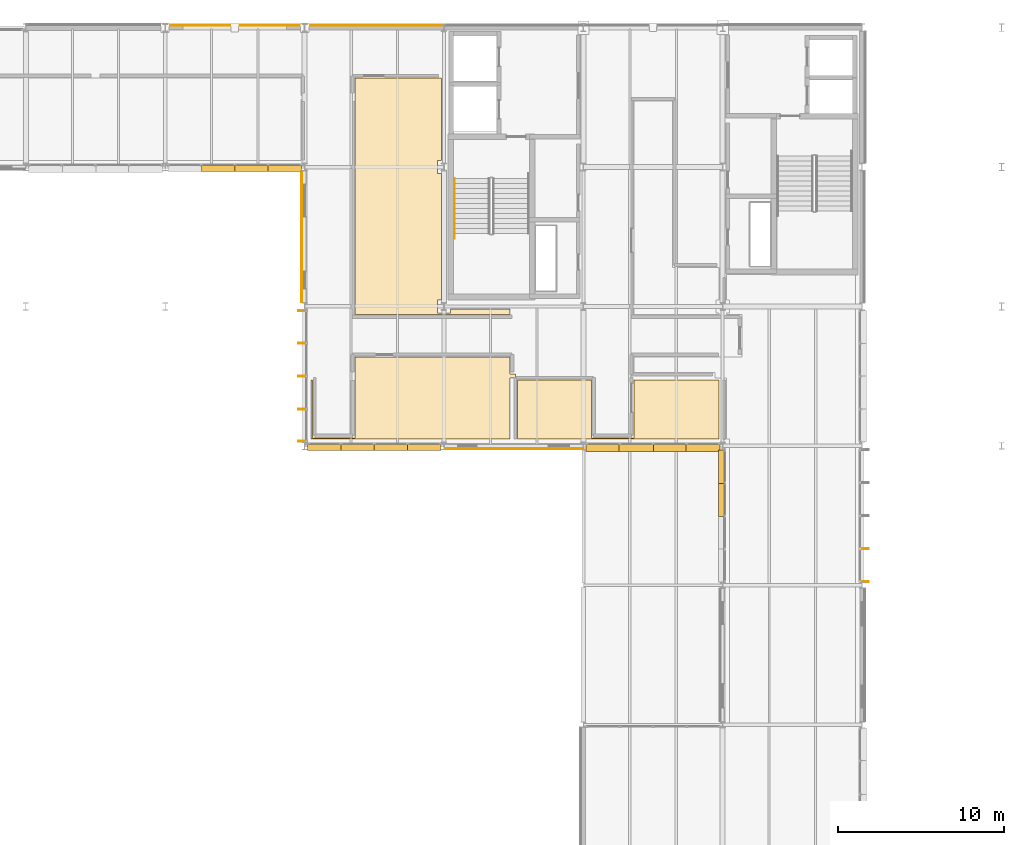
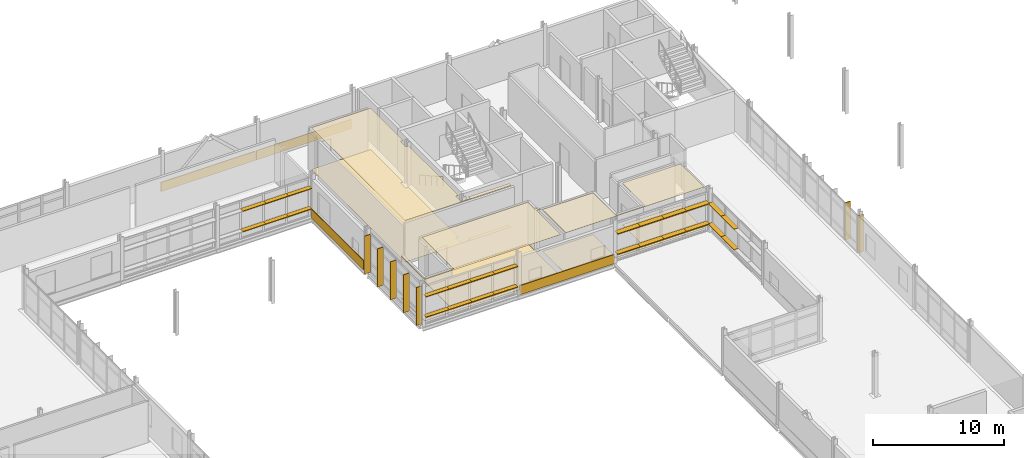
# One storey, part 101 of 103: 33 shading devices, 10 coverings, 1 railing.
"""IFC4 building model written with IfcOpenShell, lengths in metres."""

import ifcopenshell
import ifcopenshell.guid

model = None  # the IFC model being written
_history = None  # IfcOwnerHistory: only IFC2X3 demands one
_inside = {}  # id of a spatial element -> (the spatial element, [elements in it])
_under = {}  # id of a project, library or spatial element -> (it, [spatial elements below it])
_declared = {}  # id of a project -> (the project, [libraries it declares])
_typed = {}  # id of a type object -> (the type object, [elements of that type])
_made_of = {}  # id of a material, layer set ... -> (it, [elements and type objects made of it])


def new_model(schema):
    """Start an empty IFC model of exactly this schema.

    Asked for "IFC4X3", IfcOpenShell would pick the latest addendum, in which some entities
    have other attributes; the version numbers below select the first issue.
    IFC2X3 requires an IfcOwnerHistory on every rooted entity: one is made here for all.
    """
    global model, _history
    if schema == "IFC4X3":
        model = ifcopenshell.file(schema_version=(4, 3, 0, 0))
    else:
        model = ifcopenshell.file(schema=schema)
    _inside.clear()
    _under.clear()
    _declared.clear()
    _typed.clear()
    _made_of.clear()
    _history = None
    if model.schema == "IFC2X3":
        org = make("IfcOrganization", Name="unknown")
        user = make(
            "IfcPersonAndOrganization",
            ThePerson=make("IfcPerson", FamilyName="unknown"),
            TheOrganization=org,
        )
        app = make(
            "IfcApplication",
            ApplicationDeveloper=org,
            Version="unknown",
            ApplicationFullName="unknown",
            ApplicationIdentifier="unknown",
        )
        _history = make(
            "IfcOwnerHistory",
            OwningUser=user,
            OwningApplication=app,
            ChangeAction="ADDED",
            CreationDate=0,
        )
    return model


def make(cls, **values):
    """One entity of the class cls with the attributes given. An attribute that is None is left unset."""
    return model.create_entity(
        cls, **{name: value for name, value in values.items() if value is not None}
    )


def rooted(cls, **values):
    """An entity with a GlobalId (a new one), such as an element, a storey or a relation."""
    return make(cls, GlobalId=ifcopenshell.guid.new(), OwnerHistory=_history, **values)


def si_unit(unit_type, name, prefix=None):
    """IfcSIUnit, for example si_unit("LENGTHUNIT", "METRE", prefix="MILLI")."""
    return make("IfcSIUnit", UnitType=unit_type, Prefix=prefix, Name=name)


def assignment(units):
    """IfcUnitAssignment: the units of a project."""
    return None if units is None else make("IfcUnitAssignment", Units=units)


def point(xyz):
    """IfcCartesianPoint."""
    return None if xyz is None else make("IfcCartesianPoint", Coordinates=xyz)


def direction(xyz):
    """IfcDirection."""
    return None if xyz is None else make("IfcDirection", DirectionRatios=xyz)


def frame(location, z_axis=None, x_axis=None):
    """IfcAxis2Placement3D, a coordinate frame: its origin and axes. An axis left out is left unset."""
    return make(
        "IfcAxis2Placement3D",
        Location=point(location),
        Axis=direction(z_axis),
        RefDirection=direction(x_axis),
    )


def frame_2d(location, x_axis=None):
    """IfcAxis2Placement2D, a coordinate frame in the plane: its origin and x axis."""
    return make(
        "IfcAxis2Placement2D", Location=point(location), RefDirection=direction(x_axis)
    )


def origin():
    """The frame at (0, 0, 0) with its axes left unset."""
    return frame((0.0, 0.0, 0.0))


def origin_2d():
    """The frame at (0, 0) in the plane with its x axis left unset."""
    return frame_2d((0.0, 0.0))


def place(relative_to, where):
    """IfcLocalPlacement: puts the frame where relative to a parent placement (None: the world)."""
    return make(
        "IfcLocalPlacement", PlacementRelTo=relative_to, RelativePlacement=where
    )


def context(
    kind, dimensions, precision=None, world=None, true_north=None, identifier=None
):
    """IfcGeometricRepresentationContext, for example the 3D "Model" context."""
    return make(
        "IfcGeometricRepresentationContext",
        ContextIdentifier=identifier,
        ContextType=kind,
        CoordinateSpaceDimension=dimensions,
        Precision=precision,
        WorldCoordinateSystem=world,
        TrueNorth=true_north,
    )


def subcontext(parent, identifier, kind, view, scale=None):
    """IfcGeometricRepresentationSubContext, for example "Body" below "Model"."""
    return make(
        "IfcGeometricRepresentationSubContext",
        ContextIdentifier=identifier,
        ContextType=kind,
        ParentContext=parent,
        TargetScale=scale,
        TargetView=view,
    )


def project(units=None, contexts=None):
    """IfcProject with its units and contexts."""
    return rooted(
        "IfcProject",
        Name="project",
        RepresentationContexts=contexts,
        UnitsInContext=assignment(units),
    )


def spatial(cls, under=None, at=None, **own):
    """A site, building, storey or space (cls), placed at a placement, below another one or the project."""
    s = rooted(cls, ObjectPlacement=at, **own)
    if under is not None:
        _under.setdefault(under.id(), (under, []))[1].append(s)
    return s


def polyline(points):
    """IfcPolyline through the points."""
    return make("IfcPolyline", Points=[point(p) for p in points])


def profile(cls, at=None, kind="AREA", **sizes):
    """A parametric profile (cls). Its sizes go by their IFC names, for example OverallWidth=200.0."""
    return make(cls, ProfileType=kind, Position=at, **sizes)


def rectangle(**sizes):
    """IfcRectangleProfileDef."""
    return profile("IfcRectangleProfileDef", **sizes)


def circle(**sizes):
    """IfcCircleProfileDef."""
    return profile("IfcCircleProfileDef", **sizes)


def outline(outer, holes=None, kind="AREA"):
    """IfcArbitraryClosedProfileDef: a profile drawn as a closed curve; with holes, ...WithVoids."""
    if holes is None:
        return make("IfcArbitraryClosedProfileDef", ProfileType=kind, OuterCurve=outer)
    return make(
        "IfcArbitraryProfileDefWithVoids",
        ProfileType=kind,
        OuterCurve=outer,
        InnerCurves=holes,
    )


def extrude(swept, where, along, depth):
    """IfcExtrudedAreaSolid: the profile swept, set in the frame where, extruded along a direction by depth."""
    return make(
        "IfcExtrudedAreaSolid",
        SweptArea=swept,
        Position=where,
        ExtrudedDirection=direction(along),
        Depth=depth,
    )


def shape(context_of_items, identifier, shape_type, items):
    """IfcShapeRepresentation: the items that make up one representation, for example the "Body"."""
    return make(
        "IfcShapeRepresentation",
        ContextOfItems=context_of_items,
        RepresentationIdentifier=identifier,
        RepresentationType=shape_type,
        Items=items,
    )


def material(Name=None, Category=None):
    """IfcMaterial."""
    return make("IfcMaterial", Name=Name, Category=Category)


def layer(
    of_material, thickness, ventilated=None, Name=None, Category=None, Priority=None
):
    """IfcMaterialLayer: one layer of a wall or slab, of a material (None: an air gap)."""
    return make(
        "IfcMaterialLayer",
        Material=of_material,
        LayerThickness=thickness,
        IsVentilated=ventilated,
        Name=Name,
        Category=Category,
        Priority=Priority,
    )


def layer_set(layers, Name=None):
    """IfcMaterialLayerSet."""
    return make("IfcMaterialLayerSet", MaterialLayers=layers, LayerSetName=Name)


def made_of(thing, what):
    """Note that an element or type object is made of a material, layer set ...; save() writes the relation."""
    if what is not None:
        _made_of.setdefault(what.id(), (what, []))[1].append(thing)
    return thing


def type_object(cls, material=None, **own):
    """A type object (cls), such as IfcWallType, which elements share."""
    return made_of(rooted(cls, **own), material)


def element(
    cls,
    number,
    at=None,
    inside=None,
    cuts=None,
    type_object=None,
    material=None,
    context=None,
    identifier="Body",
    shape_type=None,
    held_by="IfcProductDefinitionShape",
    body=None,
    shapes=None,
    **own,
):
    """One element of the class cls, such as IfcWall. Its Tag is "e" and its number.

    at: its placement. inside: the storey or other place that contains it. cuts: it is an
    opening in that element (IfcRelVoidsElement). A single representation is given by context,
    identifier, shape_type and body (its items); several are given by shapes. held_by: the class
    of the entity that holds the representations. save() writes the other relations.
    """
    e = rooted(cls, Tag="e%d" % number, ObjectPlacement=at, **own)
    if body is not None:
        shapes = [shape(context, identifier, shape_type, body)]
    if shapes is not None:
        e.Representation = make(held_by, Representations=shapes)
    if inside is not None:
        _inside.setdefault(inside.id(), (inside, []))[1].append(e)
    if cuts is not None:
        rooted(
            "IfcRelVoidsElement", RelatingBuildingElement=cuts, RelatedOpeningElement=e
        )
    if type_object is not None:
        _typed.setdefault(type_object.id(), (type_object, []))[1].append(e)
    return made_of(e, material)


def aggregate(whole, parts):
    """IfcRelAggregates: a whole, such as a stair, and the parts it consists of."""
    return rooted("IfcRelAggregates", RelatingObject=whole, RelatedObjects=parts)


def save(model, path):
    """Write the relations noted so far, then the file.

    IfcRelAggregates (storeys below a building ...), IfcRelContainedInSpatialStructure (elements
    in a storey), IfcRelDefinesByType, IfcRelAssociatesMaterial and IfcRelDeclares: one each for
    every whole, place, type object, material and project.
    """
    for whole, parts in _under.values():
        aggregate(whole, parts)
    for where, things in _inside.values():
        rooted(
            "IfcRelContainedInSpatialStructure",
            RelatedElements=things,
            RelatingStructure=where,
        )
    for kind, things in _typed.values():
        rooted("IfcRelDefinesByType", RelatedObjects=things, RelatingType=kind)
    for what, things in _made_of.values():
        rooted("IfcRelAssociatesMaterial", RelatedObjects=things, RelatingMaterial=what)
    for by, libraries in _declared.values():
        rooted("IfcRelDeclares", RelatingContext=by, RelatedDefinitions=libraries)
    model.write(path)


model = new_model("IFC4")

# Units and contexts
model_context = context("Model", 3, precision=1e-05, world=origin(), true_north=direction((0.0, 1.0)))
body_context = subcontext(model_context, "Body", "Model", "MODEL_VIEW")
ifc_project = project(units=[si_unit("LENGTHUNIT", "METRE"), si_unit("AREAUNIT", "SQUARE_METRE"), si_unit("VOLUMEUNIT", "CUBIC_METRE"), si_unit("PLANEANGLEUNIT", "RADIAN"), si_unit("MASSUNIT", "GRAM", prefix="KILO")], contexts=[model_context])

# Site, building, storey
site_placement = place(None, origin())
site = spatial("IfcSite", under=ifc_project, at=site_placement, CompositionType="ELEMENT")
building_placement = place(site_placement, origin())
building = spatial("IfcBuilding", under=site, at=building_placement, Name="Mersafa Astral City Hall", CompositionType="ELEMENT")
storey_placement = place(building_placement, frame((0.0, 0.0, 18.0)))
storey = spatial("IfcBuildingStorey", under=building, at=storey_placement, Name="L04", CompositionType="ELEMENT", Elevation=18.0)

# Coverings
ifc_material_1 = material(Name="Cairo Mokattam buff limestone cladding", Category="masonry")
ifc_layer_1 = layer(ifc_material_1, 0.06005859375, Name="Cairo Mokattam buff limestone cladding")
ifc_layer_set_1 = layer_set([ifc_layer_1], Name="Cairo Mokattam buff limestone cladding — ENV-COV-LIMESTONE-60")
covering_type_1 = type_object("IfcCoveringType", Name="ENV-COV-LIMESTONE-60", PredefinedType="CLADDING", material=ifc_layer_set_1)
for number, where, z_axis, x_axis, name in (
    (1, (147.0, 126.14697265625, 0.0), (0.0, 0.0, 1.0), (-1.0, 0.0, 0.0), "L04 Cairo buff limestone rainscreen cladding 283"),
    (2, (138.60009765625, 126.139404296875, 0.0), (0.0, 0.0, 1.0), (-1.0, 0.0, 0.0), "L04 Cairo buff limestone rainscreen cladding 284"),
):
    element("IfcCovering", number, at=place(storey_placement, frame(where, z_axis=z_axis, x_axis=x_axis)), inside=storey, type_object=covering_type_1, Name=name, PredefinedType="CLADDING", context=body_context, shape_type="SweptSolid", body=[
        extrude(rectangle(XDim=8.323974609375, YDim=0.06005859375, at=origin_2d()), origin(), (0.0, 0.0, 1.0), 0.860107421875),
    ])
covering_1_placement = place(storey_placement, frame((142.623046875, 113.39990234375, 0.0), z_axis=(0.0, 0.0, 1.0), x_axis=(0.0, -1.0, 0.0)))
element("IfcCovering", 3, at=covering_1_placement, inside=storey, type_object=covering_type_1, Name="L04 Cairo buff limestone rainscreen cladding 314", PredefinedType="CLADDING", context=body_context, shape_type="SweptSolid", body=[
    extrude(rectangle(XDim=7.89794921875, YDim=0.06005859375, at=origin_2d()), origin(), (0.0, 0.0, 1.0), 0.860107421875),
])
covering_2_placement = place(storey_placement, frame((155.39990234375, 100.630615234375, 0.0), z_axis=(0.0, 0.0, 1.0), x_axis=(1.0, 0.0, 0.0)))
element("IfcCovering", 4, at=covering_2_placement, inside=storey, type_object=covering_type_1, Name="L04 Cairo buff limestone rainscreen cladding 315", PredefinedType="CLADDING", context=body_context, shape_type="SweptSolid", body=[
    extrude(rectangle(XDim=8.323974609375, YDim=0.06005859375, at=origin_2d()), origin(), (0.0, 0.0, 1.0), 0.860107421875),
])

# Shading devices
ifc_material_2 = material(Name="Anodised bronze aluminium solar fin", Category="aluminium")
shading_device_type_1 = type_object("IfcShadingDeviceType", Name="ENV-SHD-FIN-500A", PredefinedType="USERDEFINED", material=ifc_material_2)
for number, where, z_axis, x_axis, name in (
    (5, (176.544921875, 92.6220703125, -0.014892578125), (0.0, 0.0, 1.0), (0.0, 1.0, 0.0), "L04 Vertical bronze solar fin 1223"),
    (6, (176.544921875, 94.591064453125, -0.014892578125), (0.0, 0.0, 1.0), (0.0, 1.0, 0.0), "L04 Vertical bronze solar fin 1224"),
):
    element("IfcShadingDevice", number, at=place(storey_placement, frame(where, z_axis=z_axis, x_axis=x_axis)), inside=storey, type_object=shading_device_type_1, Name=name, ObjectType="FIN", PredefinedType="USERDEFINED", context=body_context, shape_type="SweptSolid", body=[
        extrude(rectangle(XDim=0.06005859375, YDim=0.5, at=origin_2d()), origin(), (0.0, 0.0, 1.0), 3.44189453125),
    ])
for number, where, z_axis, x_axis, name in (
    (7, (142.655029296875, 108.93310546875, -0.01513671875), (0.0, 0.0, 1.0), (0.0, -1.0, 0.0), "L04 Vertical bronze solar fin 1405"),
    (8, (142.655029296875, 106.9814453125, -0.01513671875), (0.0, 0.0, 1.0), (0.0, -1.0, 0.0), "L04 Vertical bronze solar fin 1406"),
    (9, (142.655029296875, 105.0, -0.01513671875), (0.0, 0.0, 1.0), (0.0, -1.0, 0.0), "L04 Vertical bronze solar fin 1407"),
    (10, (142.655029296875, 103.0185546875, -0.01513671875), (0.0, 0.0, 1.0), (0.0, -1.0, 0.0), "L04 Vertical bronze solar fin 1408"),
    (11, (142.655029296875, 101.06689453125, -0.01513671875), (0.0, 0.0, 1.0), (0.0, -1.0, 0.0), "L04 Vertical bronze solar fin 1409"),
):
    element("IfcShadingDevice", number, at=place(storey_placement, frame(where, z_axis=z_axis, x_axis=x_axis)), inside=storey, type_object=shading_device_type_1, Name=name, ObjectType="FIN", PredefinedType="USERDEFINED", context=body_context, shape_type="SweptSolid", body=[
        extrude(rectangle(XDim=0.06005859375, YDim=0.5, at=origin_2d()), origin(), (0.0, 0.0, 1.0), 3.531982421875),
    ])
ifc_material_3 = material(Name="Kiln-dried cedar timber brise-soleil blade", Category="wood")
shading_device_type_2 = type_object("IfcShadingDeviceType", Name="ENV-SHD-LOUVRE-380", PredefinedType="JALOUSIE", material=ifc_material_3)
for number, where, z_axis, x_axis, name in (
    (12, (137.590576171875, 117.52001953125, 0.81494140625), (0.0, 0.0, 1.0), (1.0, 0.0, 0.0), "L04 Horizontal cedar brise-soleil louvre 1398"),
    (13, (139.609619140625, 117.52001953125, 0.81494140625), (0.0, 0.0, 1.0), (1.0, 0.0, 0.0), "L04 Horizontal cedar brise-soleil louvre 1399"),
):
    element("IfcShadingDevice", number, at=place(storey_placement, frame(where, z_axis=z_axis, x_axis=x_axis)), inside=storey, type_object=shading_device_type_2, Name=name, PredefinedType="JALOUSIE", context=body_context, shape_type="SweptSolid", body=[
        extrude(rectangle(XDim=2.05908203125, YDim=0.3798828125, at=origin_2d()), origin(), (0.0, 0.0, 1.0), 0.070068359375),
    ])
shading_device_1_placement = place(storey_placement, frame((141.613525390625, 117.52001953125, 0.81494140625), z_axis=(0.0, 0.0, 1.0), x_axis=(1.0, 0.0, 0.0)))
element("IfcShadingDevice", 14, at=shading_device_1_placement, inside=storey, type_object=shading_device_type_2, Name="L04 Horizontal cedar brise-soleil louvre 1400", PredefinedType="JALOUSIE", context=body_context, shape_type="SweptSolid", body=[
    extrude(rectangle(XDim=2.029052734375, YDim=0.3798828125, at=origin_2d()), origin(), (0.0, 0.0, 1.0), 0.070068359375),
])
for number, where, z_axis, x_axis, name in (
    (15, (137.590576171875, 117.52001953125, 2.71484375), (0.0, 0.0, 1.0), (1.0, 0.0, 0.0), "L04 Horizontal cedar brise-soleil louvre 1402"),
    (16, (139.609619140625, 117.52001953125, 2.71484375), (0.0, 0.0, 1.0), (1.0, 0.0, 0.0), "L04 Horizontal cedar brise-soleil louvre 1403"),
):
    element("IfcShadingDevice", number, at=place(storey_placement, frame(where, z_axis=z_axis, x_axis=x_axis)), inside=storey, type_object=shading_device_type_2, Name=name, PredefinedType="JALOUSIE", context=body_context, shape_type="SweptSolid", body=[
        extrude(rectangle(XDim=2.05908203125, YDim=0.3798828125, at=origin_2d()), origin(), (0.0, 0.0, 1.0), 0.070068359375),
    ])
for number, where, z_axis, x_axis, name in (
    (17, (141.613525390625, 117.52001953125, 2.71484375), (0.0, 0.0, 1.0), (1.0, 0.0, 0.0), "L04 Horizontal cedar brise-soleil louvre 1404"),
    (18, (143.986572265625, 100.719970703125, 0.81494140625), (0.0, 0.0, 1.0), (1.0, 0.0, 0.0), "L04 Horizontal cedar brise-soleil louvre 1410"),
):
    element("IfcShadingDevice", number, at=place(storey_placement, frame(where, z_axis=z_axis, x_axis=x_axis)), inside=storey, type_object=shading_device_type_2, Name=name, PredefinedType="JALOUSIE", context=body_context, shape_type="SweptSolid", body=[
        extrude(rectangle(XDim=2.029052734375, YDim=0.3798828125, at=origin_2d()), origin(), (0.0, 0.0, 1.0), 0.070068359375),
    ])
for number, where, z_axis, x_axis, name in (
    (19, (145.990478515625, 100.719970703125, 0.81494140625), (0.0, 0.0, 1.0), (1.0, 0.0, 0.0), "L04 Horizontal cedar brise-soleil louvre 1411"),
    (20, (148.009521484375, 100.719970703125, 0.81494140625), (0.0, 0.0, 1.0), (1.0, 0.0, 0.0), "L04 Horizontal cedar brise-soleil louvre 1412"),
):
    element("IfcShadingDevice", number, at=place(storey_placement, frame(where, z_axis=z_axis, x_axis=x_axis)), inside=storey, type_object=shading_device_type_2, Name=name, PredefinedType="JALOUSIE", context=body_context, shape_type="SweptSolid", body=[
        extrude(rectangle(XDim=2.05908203125, YDim=0.3798828125, at=origin_2d()), origin(), (0.0, 0.0, 1.0), 0.070068359375),
    ])
for number, where, z_axis, x_axis, name in (
    (21, (150.013427734375, 100.719970703125, 0.81494140625), (0.0, 0.0, 1.0), (1.0, 0.0, 0.0), "L04 Horizontal cedar brise-soleil louvre 1413"),
    (22, (143.986572265625, 100.719970703125, 2.71484375), (0.0, 0.0, 1.0), (1.0, 0.0, 0.0), "L04 Horizontal cedar brise-soleil louvre 1414"),
):
    element("IfcShadingDevice", number, at=place(storey_placement, frame(where, z_axis=z_axis, x_axis=x_axis)), inside=storey, type_object=shading_device_type_2, Name=name, PredefinedType="JALOUSIE", context=body_context, shape_type="SweptSolid", body=[
        extrude(rectangle(XDim=2.029052734375, YDim=0.3798828125, at=origin_2d()), origin(), (0.0, 0.0, 1.0), 0.070068359375),
    ])
for number, where, z_axis, x_axis, name in (
    (23, (145.990478515625, 100.719970703125, 2.71484375), (0.0, 0.0, 1.0), (1.0, 0.0, 0.0), "L04 Horizontal cedar brise-soleil louvre 1415"),
    (24, (148.009521484375, 100.719970703125, 2.71484375), (0.0, 0.0, 1.0), (1.0, 0.0, 0.0), "L04 Horizontal cedar brise-soleil louvre 1416"),
):
    element("IfcShadingDevice", number, at=place(storey_placement, frame(where, z_axis=z_axis, x_axis=x_axis)), inside=storey, type_object=shading_device_type_2, Name=name, PredefinedType="JALOUSIE", context=body_context, shape_type="SweptSolid", body=[
        extrude(rectangle(XDim=2.05908203125, YDim=0.3798828125, at=origin_2d()), origin(), (0.0, 0.0, 1.0), 0.070068359375),
    ])
shading_device_2_placement = place(storey_placement, frame((150.013427734375, 100.719970703125, 2.71484375), z_axis=(0.0, 0.0, 1.0), x_axis=(1.0, 0.0, 0.0)))
element("IfcShadingDevice", 25, at=shading_device_2_placement, inside=storey, type_object=shading_device_type_2, Name="L04 Horizontal cedar brise-soleil louvre 1417", PredefinedType="JALOUSIE", context=body_context, shape_type="SweptSolid", body=[
    extrude(rectangle(XDim=2.029052734375, YDim=0.3798828125, at=origin_2d()), origin(), (0.0, 0.0, 1.0), 0.070068359375),
])
shading_device_3_placement = place(storey_placement, frame((167.919921875, 99.55029296875, 0.81494140625), z_axis=(0.0, 0.0, 1.0), x_axis=(0.0, -1.0, 0.0)))
element("IfcShadingDevice", 26, at=shading_device_3_placement, inside=storey, type_object=shading_device_type_2, Name="L04 Horizontal cedar brise-soleil louvre 1426", PredefinedType="JALOUSIE", context=body_context, shape_type="SweptSolid", body=[
    extrude(rectangle(XDim=2.00537109375, YDim=0.3798828125, at=origin_2d()), origin(), (0.0, 0.0, 1.0), 0.070068359375),
])
shading_device_4_placement = place(storey_placement, frame((167.919921875, 97.570068359375, 0.81494140625), z_axis=(0.0, 0.0, 1.0), x_axis=(0.0, -1.0, 0.0)))
element("IfcShadingDevice", 27, at=shading_device_4_placement, inside=storey, type_object=shading_device_type_2, Name="L04 Horizontal cedar brise-soleil louvre 1427", PredefinedType="JALOUSIE", context=body_context, shape_type="SweptSolid", body=[
    extrude(rectangle(XDim=2.035400390625, YDim=0.3798828125, at=origin_2d()), origin(), (0.0, 0.0, 1.0), 0.070068359375),
])
shading_device_5_placement = place(storey_placement, frame((167.919921875, 99.55029296875, 2.71484375), z_axis=(0.0, 0.0, 1.0), x_axis=(0.0, -1.0, 0.0)))
element("IfcShadingDevice", 28, at=shading_device_5_placement, inside=storey, type_object=shading_device_type_2, Name="L04 Horizontal cedar brise-soleil louvre 1430", PredefinedType="JALOUSIE", context=body_context, shape_type="SweptSolid", body=[
    extrude(rectangle(XDim=2.00537109375, YDim=0.3798828125, at=origin_2d()), origin(), (0.0, 0.0, 1.0), 0.070068359375),
])
shading_device_6_placement = place(storey_placement, frame((167.919921875, 97.570068359375, 2.71484375), z_axis=(0.0, 0.0, 1.0), x_axis=(0.0, -1.0, 0.0)))
element("IfcShadingDevice", 29, at=shading_device_6_placement, inside=storey, type_object=shading_device_type_2, Name="L04 Horizontal cedar brise-soleil louvre 1431", PredefinedType="JALOUSIE", context=body_context, shape_type="SweptSolid", body=[
    extrude(rectangle(XDim=2.035400390625, YDim=0.3798828125, at=origin_2d()), origin(), (0.0, 0.0, 1.0), 0.070068359375),
])
shading_device_type_3 = type_object("IfcShadingDeviceType", Name="ENV-SHD-LOUVRE-450", PredefinedType="JALOUSIE", material=ifc_material_3)
shading_device_7_placement = place(storey_placement, frame((160.78662109375, 100.68505859375, 0.81005859375), z_axis=(0.0, 0.0, 1.0), x_axis=(1.0, 0.0, 0.0)))
element("IfcShadingDevice", 30, at=shading_device_7_placement, inside=storey, type_object=shading_device_type_3, Name="L04 Horizontal cedar brise-soleil louvre 1418", PredefinedType="JALOUSIE", context=body_context, shape_type="SweptSolid", body=[
    extrude(rectangle(XDim=2.029052734375, YDim=0.449951171875, at=origin_2d()), origin(), (0.0, 0.0, 1.0), 0.080078125),
])
for number, where, z_axis, x_axis, name in (
    (31, (162.79052734375, 100.68505859375, 0.81005859375), (0.0, 0.0, 1.0), (1.0, 0.0, 0.0), "L04 Horizontal cedar brise-soleil louvre 1419"),
    (32, (164.8095703125, 100.68505859375, 0.81005859375), (0.0, 0.0, 1.0), (1.0, 0.0, 0.0), "L04 Horizontal cedar brise-soleil louvre 1420"),
):
    element("IfcShadingDevice", number, at=place(storey_placement, frame(where, z_axis=z_axis, x_axis=x_axis)), inside=storey, type_object=shading_device_type_3, Name=name, PredefinedType="JALOUSIE", context=body_context, shape_type="SweptSolid", body=[
        extrude(rectangle(XDim=2.05908203125, YDim=0.449951171875, at=origin_2d()), origin(), (0.0, 0.0, 1.0), 0.080078125),
    ])
for number, where, z_axis, x_axis, name in (
    (33, (166.8134765625, 100.68505859375, 0.81005859375), (0.0, 0.0, 1.0), (1.0, 0.0, 0.0), "L04 Horizontal cedar brise-soleil louvre 1421"),
    (34, (160.78662109375, 100.68505859375, 2.7099609375), (0.0, 0.0, 1.0), (1.0, 0.0, 0.0), "L04 Horizontal cedar brise-soleil louvre 1422"),
):
    element("IfcShadingDevice", number, at=place(storey_placement, frame(where, z_axis=z_axis, x_axis=x_axis)), inside=storey, type_object=shading_device_type_3, Name=name, PredefinedType="JALOUSIE", context=body_context, shape_type="SweptSolid", body=[
        extrude(rectangle(XDim=2.029052734375, YDim=0.449951171875, at=origin_2d()), origin(), (0.0, 0.0, 1.0), 0.080078125),
    ])
for number, where, z_axis, x_axis, name in (
    (35, (162.79052734375, 100.68505859375, 2.7099609375), (0.0, 0.0, 1.0), (1.0, 0.0, 0.0), "L04 Horizontal cedar brise-soleil louvre 1423"),
    (36, (164.8095703125, 100.68505859375, 2.7099609375), (0.0, 0.0, 1.0), (1.0, 0.0, 0.0), "L04 Horizontal cedar brise-soleil louvre 1424"),
):
    element("IfcShadingDevice", number, at=place(storey_placement, frame(where, z_axis=z_axis, x_axis=x_axis)), inside=storey, type_object=shading_device_type_3, Name=name, PredefinedType="JALOUSIE", context=body_context, shape_type="SweptSolid", body=[
        extrude(rectangle(XDim=2.05908203125, YDim=0.449951171875, at=origin_2d()), origin(), (0.0, 0.0, 1.0), 0.080078125),
    ])
shading_device_8_placement = place(storey_placement, frame((166.8134765625, 100.68505859375, 2.7099609375), z_axis=(0.0, 0.0, 1.0), x_axis=(1.0, 0.0, 0.0)))
element("IfcShadingDevice", 37, at=shading_device_8_placement, inside=storey, type_object=shading_device_type_3, Name="L04 Horizontal cedar brise-soleil louvre 1425", PredefinedType="JALOUSIE", context=body_context, shape_type="SweptSolid", body=[
    extrude(rectangle(XDim=2.029052734375, YDim=0.449951171875, at=origin_2d()), origin(), (0.0, 0.0, 1.0), 0.080078125),
])

# Railing
ifc_material_4 = material(Name="Brushed stainless steel tubular handrail", Category="steel")
railing_type = type_object("IfcRailingType", Name="HANDRAIL", PredefinedType="HANDRAIL", material=ifc_material_4)
railing_placement = place(storey_placement, frame((151.830078125, 116.89990234375, 0.168701171875)))
element("IfcRailing", 38, at=railing_placement, inside=storey, type_object=railing_type, Name="L04 ST1 stair handrail 1", PredefinedType="HANDRAIL", context=body_context, shape_type="SweptSolid", body=[
    extrude(circle(Radius=0.02392578125, at=origin_2d()), frame((0.0, 0.0, 0.8759765625), z_axis=(0.0, -0.871248695433, 0.49084183879), x_axis=(1.0, 0.0, 0.0)), (0.0, 0.0, 1.0), 4.1318359375),
    extrude(circle(Radius=0.02099609375, at=origin_2d()), origin(), (0.0, 0.0, 1.0), 0.851806640625),
    extrude(circle(Radius=0.02099609375, at=origin_2d()), frame((0.0, -0.89990234375, 0.507080078125)), (0.0, 0.0, 1.0), 0.851806640625),
    extrude(circle(Radius=0.02099609375, at=origin_2d()), frame((0.0, -1.7998046875, 1.01416015625)), (0.0, 0.0, 1.0), 0.851806640625),
    extrude(circle(Radius=0.02099609375, at=origin_2d()), frame((0.0, -2.699951171875, 1.52099609375)), (0.0, 0.0, 1.0), 0.851806640625),
    extrude(circle(Radius=0.02099609375, at=origin_2d()), frame((0.0, -3.599853515625, 2.028076171875)), (0.0, 0.0, 1.0), 0.851806640625),
])

# Coverings
ifc_material_5 = material(Name="Perforated acoustic gypsum board ceiling", Category="gypsum")
ifc_layer_2 = layer(ifc_material_5, 0.02490234375, Name="Perforated acoustic gypsum board ceiling")
ifc_layer_set_2 = layer_set([ifc_layer_2], Name="Perforated acoustic gypsum board ceiling — INT-COV-CEIL-25")
covering_type_2 = type_object("IfcCoveringType", Name="INT-COV-CEIL-25", PredefinedType="CEILING", material=ifc_layer_set_2)
covering_3_placement = place(storey_placement, frame((0.0, 0.0, 3.85107421875)))
element("IfcCovering", 39, at=covering_3_placement, inside=storey, type_object=covering_type_2, Name="L04 Public Works Engineering Office L04-04 acoustic ceiling", PredefinedType="CEILING", context=body_context, shape_type="SweptSolid", body=[
    extrude(outline(polyline([(151.0400390625, 122.9599609375), (151.0400390625, 117.9951171875), (150.804931640625, 117.9951171875), (150.804931640625, 117.205078125), (151.0400390625, 117.205078125), (151.0400390625, 109.594970703125), (150.804931640625, 109.594970703125), (150.804931640625, 108.804931640625), (151.594970703125, 108.804931640625), (151.594970703125, 109.0400390625), (155.169921875, 109.0400390625), (155.169921875, 108.719970703125), (145.840087890625, 108.719970703125), (145.840087890625, 122.9599609375), (151.0400390625, 122.9599609375)])), origin(), (0.0, 0.0, 1.0), 0.02490234375),
])
covering_4_placement = place(storey_placement, frame((0.0, 0.0, 3.85107421875)))
element("IfcCovering", 40, at=covering_4_placement, inside=storey, type_object=covering_type_2, Name="L04 Public Restroom L04-08 acoustic ceiling", PredefinedType="CEILING", context=body_context, shape_type="SweptSolid", body=[
    extrude(outline(polyline([(160.080078125, 104.77001953125), (160.080078125, 101.280029296875), (162.639892578125, 101.280029296875), (162.639892578125, 104.77001953125), (167.77001953125, 104.77001953125), (167.77001953125, 101.199951171875), (155.6298828125, 101.199951171875), (155.6298828125, 104.77001953125), (160.080078125, 104.77001953125)])), origin(), (0.0, 0.0, 1.0), 0.02490234375),
])
covering_5_placement = place(storey_placement, frame((0.0, 0.0, 3.85107421875)))
element("IfcCovering", 41, at=covering_5_placement, inside=storey, type_object=covering_type_2, Name="L04 Social Services Directorate Office L04-09 acoustic ceiling", PredefinedType="CEILING", context=body_context, shape_type="SweptSolid", body=[
    extrude(outline(polyline([(145.840087890625, 101.280029296875), (145.840087890625, 106.159912109375), (155.169921875, 106.159912109375), (155.169921875, 105.1201171875), (155.52001953125, 105.1201171875), (155.52001953125, 104.8798828125), (155.169921875, 104.8798828125), (155.169921875, 101.199951171875), (143.199951171875, 101.199951171875), (143.199951171875, 104.77001953125), (143.280029296875, 104.77001953125), (143.280029296875, 101.280029296875), (145.840087890625, 101.280029296875)])), origin(), (0.0, 0.0, 1.0), 0.02490234375),
])
ifc_material_6 = material(Name="Heavy-duty woven acoustic carpet tile", Category="finish")
ifc_layer_3 = layer(ifc_material_6, 0.014892578125, Name="Heavy-duty woven acoustic carpet tile")
ifc_layer_set_3 = layer_set([ifc_layer_3], Name="Heavy-duty woven acoustic carpet tile — INT-COV-FLR-15")
covering_type_3 = type_object("IfcCoveringType", Name="INT-COV-FLR-15", PredefinedType="FLOORING", material=ifc_layer_set_3)
covering_6_placement = place(storey_placement, frame((0.0, 0.0, -0.00146484375)))
element("IfcCovering", 42, at=covering_6_placement, inside=storey, type_object=covering_type_3, Name="L04 Public Works Engineering Office L04-04 architectural flooring", PredefinedType="FLOORING", context=body_context, shape_type="SweptSolid", body=[
    extrude(outline(polyline([(151.0400390625, 122.9599609375), (151.0400390625, 117.9951171875), (150.804931640625, 117.9951171875), (150.804931640625, 117.205078125), (151.0400390625, 117.205078125), (151.0400390625, 109.594970703125), (150.804931640625, 109.594970703125), (150.804931640625, 108.804931640625), (151.594970703125, 108.804931640625), (151.594970703125, 109.0400390625), (155.169921875, 109.0400390625), (155.169921875, 108.719970703125), (145.840087890625, 108.719970703125), (145.840087890625, 122.9599609375), (151.0400390625, 122.9599609375)])), origin(), (0.0, 0.0, 1.0), 0.014892578125),
])
covering_7_placement = place(storey_placement, frame((0.0, 0.0, -0.00146484375)))
element("IfcCovering", 43, at=covering_7_placement, inside=storey, type_object=covering_type_3, Name="L04 Public Restroom L04-08 architectural flooring", PredefinedType="FLOORING", context=body_context, shape_type="SweptSolid", body=[
    extrude(outline(polyline([(160.080078125, 104.77001953125), (160.080078125, 101.280029296875), (162.639892578125, 101.280029296875), (162.639892578125, 104.77001953125), (167.77001953125, 104.77001953125), (167.77001953125, 101.199951171875), (155.6298828125, 101.199951171875), (155.6298828125, 104.77001953125), (160.080078125, 104.77001953125)])), origin(), (0.0, 0.0, 1.0), 0.014892578125),
])
covering_8_placement = place(storey_placement, frame((0.0, 0.0, -0.00146484375)))
element("IfcCovering", 44, at=covering_8_placement, inside=storey, type_object=covering_type_3, Name="L04 Social Services Directorate Office L04-09 architectural flooring", PredefinedType="FLOORING", context=body_context, shape_type="SweptSolid", body=[
    extrude(outline(polyline([(145.840087890625, 101.280029296875), (145.840087890625, 106.159912109375), (155.169921875, 106.159912109375), (155.169921875, 105.1201171875), (155.52001953125, 105.1201171875), (155.52001953125, 104.8798828125), (155.169921875, 104.8798828125), (155.169921875, 101.199951171875), (143.199951171875, 101.199951171875), (143.199951171875, 104.77001953125), (143.280029296875, 104.77001953125), (143.280029296875, 101.280029296875), (145.840087890625, 101.280029296875)])), origin(), (0.0, 0.0, 1.0), 0.014892578125),
])

save(model, "model.ifc")
